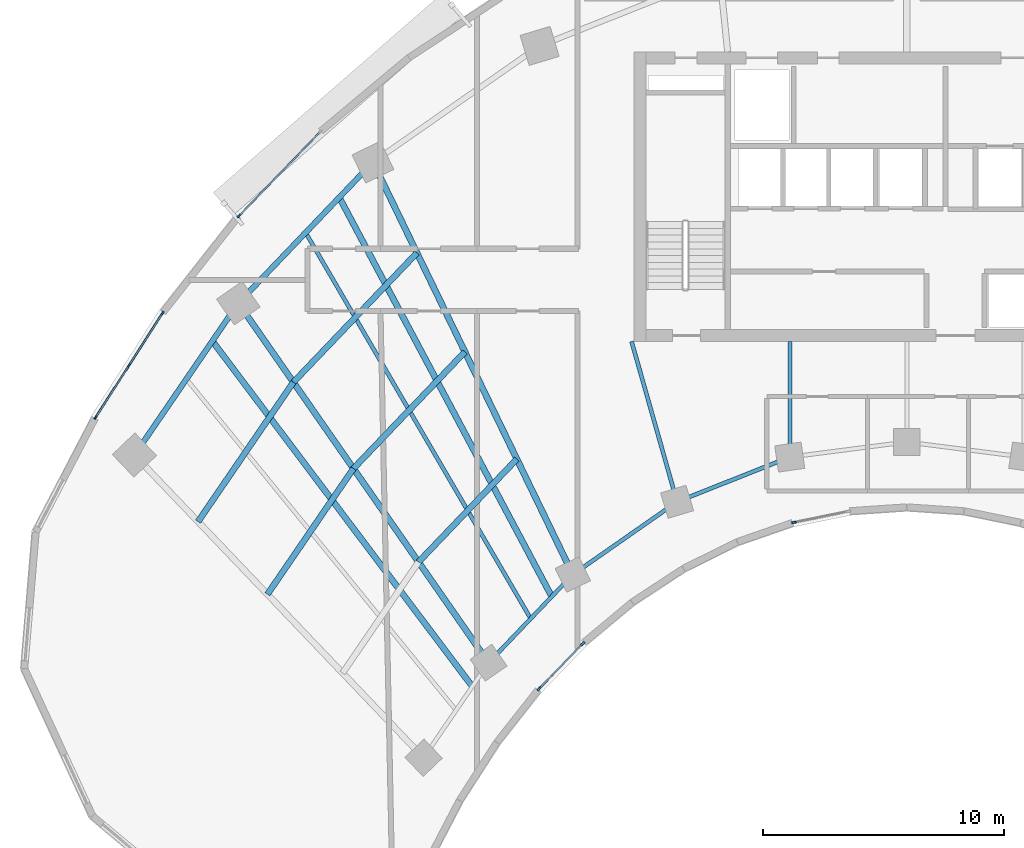
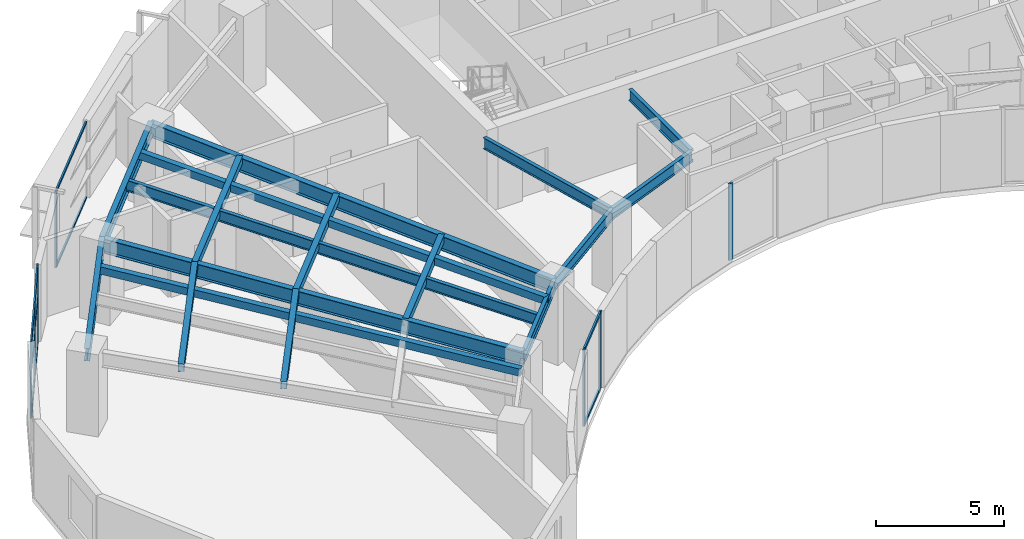
# One storey, part 2 of 14: 17 beams, 17 members, 4 elements without a shape of their own.
"""IFC4 building model written with IfcOpenShell, lengths in metres."""

from ifc_helpers import new_model, si_unit, direction, frame, origin, origin_2d, place, context, subcontext, project, spatial, rectangle, hollow_rectangle, i_section, extrude, source, transform, mapped, material, layer, layer_set, material_profile, profile_set, type_object, type_shapes, element, aggregate, save


model = new_model("IFC4")

# Units and contexts
model_context = context("Model", 3, precision=1e-05, world=origin(), true_north=direction((0.0, 1.0)))
body_context = subcontext(model_context, "Body", "Model", "MODEL_VIEW")
ifc_project = project(units=[si_unit("LENGTHUNIT", "METRE"), si_unit("AREAUNIT", "SQUARE_METRE"), si_unit("VOLUMEUNIT", "CUBIC_METRE"), si_unit("PLANEANGLEUNIT", "RADIAN"), si_unit("MASSUNIT", "GRAM", prefix="KILO")], contexts=[model_context])

# Site, building, storey
site_placement = place(None, origin())
site = spatial("IfcSite", under=ifc_project, at=site_placement, CompositionType="ELEMENT")
building_placement = place(site_placement, origin())
building = spatial("IfcBuilding", under=site, at=building_placement, Name="Breltana Convention Tower", CompositionType="ELEMENT")
storey_placement = place(building_placement, frame((0.0, 0.0, 131.10009765625)))
storey = spatial("IfcBuildingStorey", under=building, at=storey_placement, Name="L31", CompositionType="ELEMENT", Elevation=131.10009765625)

# Beams
ifc_material_1 = material(Name="Steel ASTM A992 Grade 50", Category="steel")
ifc_material_profile_1 = material_profile(ifc_material_1, i_section(OverallWidth=0.25390625, OverallDepth=0.68798828125, WebThickness=0.01318359375, FlangeThickness=0.02099609375, at=origin_2d()), Name="W27X102")
ifc_profile_set_1 = profile_set([ifc_material_profile_1], Name="Steel ASTM A992 Grade 50")
beam_type_1 = type_object("IfcBeamType", Name="BM-RG-W27X102", PredefinedType="USERDEFINED", material=ifc_profile_set_1)
shared_shape_1 = source(origin(), body_context, "Body", "SweptSolid", [
    extrude(i_section(OverallWidth=0.25390625, OverallDepth=0.68798828125, WebThickness=0.01318359375, FlangeThickness=0.02099609375, at=origin_2d()), origin(), (0.0, 0.0, 1.0), 18.1484375),
])
beam_1_placement = place(storey_placement, frame((30.67724609375, 46.892333984375, 3.305908203125), z_axis=(-0.571207556098, 0.820805657788, 0.0), x_axis=(-0.820805657788, -0.571207556098, 0.0)))
element("IfcBeam", 1, at=beam_1_placement, inside=storey, type_object=beam_type_1, Name="L31 Radial Floor Girder R02", ObjectType="GIRDER", PredefinedType="USERDEFINED", context=body_context, shape_type="MappedRepresentation", body=[
    mapped(shared_shape_1, transform((0.0, 0.0, 0.0), scale=1.0)),
])
shared_shape_2 = source(origin(), body_context, "Body", "SweptSolid", [
    extrude(i_section(OverallWidth=0.25390625, OverallDepth=0.68798828125, WebThickness=0.01318359375, FlangeThickness=0.02099609375, at=origin_2d()), origin(), (0.0, 0.0, 1.0), 18.982421875),
])
beam_2_placement = place(storey_placement, frame((34.166259765625, 50.544921875, 3.305908203125), z_axis=(-0.436118560343, 0.89988921614, 0.0), x_axis=(-0.89988921614, -0.436118560343, 0.0)))
element("IfcBeam", 2, at=beam_2_placement, inside=storey, type_object=beam_type_1, Name="L31 Radial Floor Girder R03", ObjectType="GIRDER", PredefinedType="USERDEFINED", context=body_context, shape_type="MappedRepresentation", body=[
    mapped(shared_shape_2, transform((0.0, 0.0, 0.0), scale=1.0)),
])
ifc_material_profile_2 = material_profile(ifc_material_1, i_section(OverallWidth=0.166015625, OverallDepth=0.534912109375, WebThickness=0.01025390625, FlangeThickness=0.0166015625, at=origin_2d()), Name="W21X57")
ifc_profile_set_2 = profile_set([ifc_material_profile_2], Name="Steel ASTM A992 Grade 50")
beam_type_2 = type_object("IfcBeamType", Name="BM-BM-W21X57", PredefinedType="BEAM", material=ifc_profile_set_2)
shared_shape_3 = source(origin(), body_context, "Body", "SweptSolid", [
    extrude(i_section(OverallWidth=0.166015625, OverallDepth=0.534912109375, WebThickness=0.01025390625, FlangeThickness=0.0166015625, at=origin_2d()), origin(), (0.0, 0.0, 1.0), 6.904541015625),
])
type_shapes(beam_type_2, [shared_shape_3])
beam_3_placement = place(storey_placement, frame((36.60009765625, 60.199951171875, 3.38232421875), z_axis=(0.273006781054, -0.962012108811, 0.0), x_axis=(0.962012108811, 0.273006781054, 0.0)))
element("IfcBeam", 3, at=beam_3_placement, inside=storey, type_object=beam_type_2, Name="L31 South Core Tie Girder R04", PredefinedType="BEAM", context=body_context, shape_type="MappedRepresentation", body=[
    mapped(shared_shape_3, transform((0.0, 0.0, 0.0), scale=1.0)),
])
shared_shape_4 = source(origin(), body_context, "Body", "SweptSolid", [
    extrude(i_section(OverallWidth=0.166015625, OverallDepth=0.534912109375, WebThickness=0.01025390625, FlangeThickness=0.0166015625, at=origin_2d()), origin(), (0.0, 0.0, 1.0), 4.789306640625),
])
beam_4_placement = place(storey_placement, frame((43.153564453125, 60.199951171875, 3.38232421875), z_axis=(0.0, -1.0, 0.0), x_axis=(1.0, 0.0, 0.0)))
element("IfcBeam", 4, at=beam_4_placement, inside=storey, type_object=beam_type_2, Name="L31 South Core Tie Girder R05", PredefinedType="BEAM", context=body_context, shape_type="MappedRepresentation", body=[
    mapped(shared_shape_4, transform((0.0, 0.0, 0.0), scale=1.0)),
])
ifc_material_profile_3 = material_profile(ifc_material_1, i_section(OverallWidth=0.22802734375, OverallDepth=0.60791015625, WebThickness=0.01123046875, FlangeThickness=0.017333984375, at=origin_2d()), Name="W24X76")
ifc_profile_set_3 = profile_set([ifc_material_profile_3], Name="Steel ASTM A992 Grade 50")
beam_type_3 = type_object("IfcBeamType", Name="BM-SP-W24X76", PredefinedType="SPANDREL", material=ifc_profile_set_3)
shared_shape_5 = source(origin(), body_context, "Body", "SweptSolid", [
    extrude(i_section(OverallWidth=0.22802734375, OverallDepth=0.60791015625, WebThickness=0.01123046875, FlangeThickness=0.017333984375, at=origin_2d()), origin(), (0.0, 0.0, 1.0), 7.625),
])
type_shapes(beam_type_3, [shared_shape_5])
beam_5_placement = place(storey_placement, frame((16.0068359375, 55.494384765625, 3.345947265625), z_axis=(0.564452031902, 0.825465870694, 0.0), x_axis=(-0.825465870694, 0.564452031902, 0.0)))
element("IfcBeam", 5, at=beam_5_placement, inside=storey, type_object=beam_type_3, Name="L31 Outer Spandrel Beam 01", PredefinedType="SPANDREL", context=body_context, shape_type="MappedRepresentation", body=[
    mapped(shared_shape_5, transform((0.0, 0.0, 0.0), scale=1.0)),
])
shared_shape_6 = source(origin(), body_context, "Body", "SweptSolid", [
    extrude(i_section(OverallWidth=0.166015625, OverallDepth=0.534912109375, WebThickness=0.01025390625, FlangeThickness=0.0166015625, at=origin_2d()), origin(), (0.0, 0.0, 1.0), 5.05126953125),
])
beam_6_placement = place(storey_placement, frame((30.67724609375, 46.892333984375, 3.38232421875), z_axis=(0.690729753845, 0.7231129975, 0.0), x_axis=(-0.7231129975, 0.690729753845, 0.0)))
element("IfcBeam", 6, at=beam_6_placement, inside=storey, type_object=beam_type_2, Name="L31 Inner Ring Beam 02", PredefinedType="BEAM", context=body_context, shape_type="MappedRepresentation", body=[
    mapped(shared_shape_6, transform((0.0, 0.0, 0.0), scale=1.0)),
])
shared_shape_7 = source(origin(), body_context, "Body", "SweptSolid", [
    extrude(i_section(OverallWidth=0.22802734375, OverallDepth=0.60791015625, WebThickness=0.01123046875, FlangeThickness=0.017333984375, at=origin_2d()), origin(), (0.0, 0.0, 1.0), 8.073974609375),
])
beam_7_placement = place(storey_placement, frame((20.310791015625, 61.78857421875, 3.345947265625), z_axis=(0.69072885448, 0.723113856588, 0.0), x_axis=(-0.723113856588, 0.69072885448, 0.0)))
element("IfcBeam", 7, at=beam_7_placement, inside=storey, type_object=beam_type_3, Name="L31 Outer Spandrel Beam 02", PredefinedType="SPANDREL", context=body_context, shape_type="MappedRepresentation", body=[
    mapped(shared_shape_7, transform((0.0, 0.0, 0.0), scale=1.0)),
])
shared_shape_8 = source(origin(), body_context, "Body", "SweptSolid", [
    extrude(i_section(OverallWidth=0.166015625, OverallDepth=0.534912109375, WebThickness=0.01025390625, FlangeThickness=0.0166015625, at=origin_2d()), origin(), (0.0, 0.0, 1.0), 5.265869140625),
])
beam_8_placement = place(storey_placement, frame((34.166259765625, 50.544921875, 3.38232421875), z_axis=(0.820167429517, 0.572123577176, 0.0), x_axis=(-0.572123577176, 0.820167429517, 0.0)))
element("IfcBeam", 8, at=beam_8_placement, inside=storey, type_object=beam_type_2, Name="L31 Inner Ring Beam 03", PredefinedType="BEAM", context=body_context, shape_type="MappedRepresentation", body=[
    mapped(shared_shape_8, transform((0.0, 0.0, 0.0), scale=1.0)),
])
shared_shape_9 = source(origin(), body_context, "Body", "SweptSolid", [
    extrude(i_section(OverallWidth=0.166015625, OverallDepth=0.534912109375, WebThickness=0.01025390625, FlangeThickness=0.0166015625, at=origin_2d()), origin(), (0.0, 0.0, 1.0), 5.022705078125),
])
beam_9_placement = place(storey_placement, frame((38.485107421875, 53.5576171875, 3.38232421875), z_axis=(0.929458966248, 0.368925507469, 0.0), x_axis=(-0.368925507469, 0.929458966248, 0.0)))
element("IfcBeam", 9, at=beam_9_placement, inside=storey, type_object=beam_type_2, Name="L31 Inner Ring Beam 04", PredefinedType="BEAM", context=body_context, shape_type="MappedRepresentation", body=[
    mapped(shared_shape_9, transform((0.0, 0.0, 0.0), scale=1.0)),
])
ifc_material_profile_4 = material_profile(ifc_material_1, hollow_rectangle(XDim=0.25, YDim=0.35009765625, WallThickness=0.011962890625, at=origin_2d()), Name="RHS350X250X12")
ifc_profile_set_4 = profile_set([ifc_material_profile_4], Name="Steel ASTM A992 Grade 50")
beam_type_4 = type_object("IfcBeamType", Name="BM-JSG-12", PredefinedType="JOIST", material=ifc_profile_set_4)
shared_shape_10 = source(origin(), body_context, "Body", "SweptSolid", [
    extrude(hollow_rectangle(XDim=0.25, YDim=0.35009765625, WallThickness=0.011962890625, at=origin_2d()), origin(), (0.0, 0.0, 1.0), 6.311767578125),
])
beam_10_placement = place(storey_placement, frame((21.5166015625, 49.72607421875, 3.474853515625), z_axis=(0.564453712577, 0.825464721449, 0.0), x_axis=(-0.825464721449, 0.564453712577, 0.0)))
element("IfcBeam", 10, at=beam_10_placement, inside=storey, type_object=beam_type_4, Name="L31 Composite Floor Joist 01.2", PredefinedType="JOIST", context=body_context, shape_type="MappedRepresentation", body=[
    mapped(shared_shape_10, transform((0.0, 0.0, 0.0), scale=1.0)),
])
shared_shape_11 = source(origin(), body_context, "Body", "SweptSolid", [
    extrude(hollow_rectangle(XDim=0.25, YDim=0.35009765625, WallThickness=0.011962890625, at=origin_2d()), origin(), (0.0, 0.0, 1.0), 6.997314453125),
])
beam_11_placement = place(storey_placement, frame((18.641845703125, 52.735595703125, 3.474853515625), z_axis=(0.564468756361, 0.825454434292, 0.0), x_axis=(-0.825454434292, 0.564468756361, 0.0)))
element("IfcBeam", 11, at=beam_11_placement, inside=storey, type_object=beam_type_4, Name="L31 Composite Floor Joist 01.3", PredefinedType="JOIST", context=body_context, shape_type="MappedRepresentation", body=[
    mapped(shared_shape_11, transform((0.0, 0.0, 0.0), scale=1.0)),
])
shared_shape_12 = source(origin(), body_context, "Body", "SweptSolid", [
    extrude(hollow_rectangle(XDim=0.25, YDim=0.35009765625, WallThickness=0.011962890625, at=origin_2d()), origin(), (0.0, 0.0, 1.0), 17.9072265625),
])
beam_12_placement = place(storey_placement, frame((30.00390625, 45.907958984375, 3.474853515625), z_axis=(-0.601382105028, 0.798961553363, 0.0), x_axis=(-0.798961553363, -0.601382105028, 0.0)))
element("IfcBeam", 12, at=beam_12_placement, inside=storey, type_object=beam_type_4, Name="L31 Quarter-Bay Radial Trimmer 01", PredefinedType="JOIST", context=body_context, shape_type="MappedRepresentation", body=[
    mapped(shared_shape_12, transform((0.0, 0.0, 0.0), scale=1.0)),
])
shared_shape_13 = source(origin(), body_context, "Body", "SweptSolid", [
    extrude(hollow_rectangle(XDim=0.25, YDim=0.35009765625, WallThickness=0.011962890625, at=origin_2d()), origin(), (0.0, 0.0, 1.0), 5.8974609375),
])
beam_13_placement = place(storey_placement, frame((27.774658203125, 51.063232421875, 3.474853515625), z_axis=(0.690713978666, 0.723128065888, 0.0), x_axis=(-0.723128065888, 0.690713978666, 0.0)))
element("IfcBeam", 13, at=beam_13_placement, inside=storey, type_object=beam_type_4, Name="L31 Composite Floor Joist 02.1", PredefinedType="JOIST", context=body_context, shape_type="MappedRepresentation", body=[
    mapped(shared_shape_13, transform((0.0, 0.0, 0.0), scale=1.0)),
])
shared_shape_14 = source(origin(), body_context, "Body", "SweptSolid", [
    extrude(hollow_rectangle(XDim=0.25, YDim=0.35009765625, WallThickness=0.011962890625, at=origin_2d()), origin(), (0.0, 0.0, 1.0), 6.68359375),
])
beam_14_placement = place(storey_placement, frame((25.079345703125, 54.936279296875, 3.474853515625), z_axis=(0.690720705885, 0.723121640156, 0.0), x_axis=(-0.723121640156, 0.690720705885, 0.0)))
element("IfcBeam", 14, at=beam_14_placement, inside=storey, type_object=beam_type_4, Name="L31 Composite Floor Joist 02.2", PredefinedType="JOIST", context=body_context, shape_type="MappedRepresentation", body=[
    mapped(shared_shape_14, transform((0.0, 0.0, 0.0), scale=1.0)),
])
shared_shape_15 = source(origin(), body_context, "Body", "SweptSolid", [
    extrude(hollow_rectangle(XDim=0.25, YDim=0.35009765625, WallThickness=0.011962890625, at=origin_2d()), origin(), (0.0, 0.0, 1.0), 7.40869140625),
])
beam_15_placement = place(storey_placement, frame((22.591552734375, 58.511474609375, 3.474853515625), z_axis=(0.690724936208, 0.723117599358, 0.0), x_axis=(-0.723117599358, 0.690724936208, 0.0)))
element("IfcBeam", 15, at=beam_15_placement, inside=storey, type_object=beam_type_4, Name="L31 Composite Floor Joist 02.3", PredefinedType="JOIST", context=body_context, shape_type="MappedRepresentation", body=[
    mapped(shared_shape_15, transform((0.0, 0.0, 0.0), scale=1.0)),
])
ifc_material_profile_5 = material_profile(ifc_material_1, i_section(OverallWidth=0.166015625, OverallDepth=0.534912109375, WebThickness=0.01025390625, FlangeThickness=0.0166015625, at=origin_2d()), Name="W21X57")
ifc_profile_set_5 = profile_set([ifc_material_profile_5], Name="Steel ASTM A992 Grade 50")
beam_type_5 = type_object("IfcBeamType", Name="BM-JSG-05", PredefinedType="JOIST", material=ifc_profile_set_5)
shared_shape_16 = source(origin(), body_context, "Body", "SweptSolid", [
    extrude(i_section(OverallWidth=0.166015625, OverallDepth=0.534912109375, WebThickness=0.01025390625, FlangeThickness=0.0166015625, at=origin_2d()), origin(), (0.0, 0.0, 1.0), 18.50830078125),
])
beam_16_placement = place(storey_placement, frame((32.421630859375, 48.71875, 3.38232421875), z_axis=(-0.50368319637, 0.863888440537, 0.0), x_axis=(-0.863888440537, -0.50368319637, 0.0)))
element("IfcBeam", 16, at=beam_16_placement, inside=storey, type_object=beam_type_5, Name="L31 Mid-Bay Radial Trimmer 02", PredefinedType="JOIST", context=body_context, shape_type="MappedRepresentation", body=[
    mapped(shared_shape_16, transform((0.0, 0.0, 0.0), scale=1.0)),
])
shared_shape_17 = source(origin(), body_context, "Body", "SweptSolid", [
    extrude(hollow_rectangle(XDim=0.25, YDim=0.35009765625, WallThickness=0.011962890625, at=origin_2d()), origin(), (0.0, 0.0, 1.0), 18.731689453125),
])
beam_17_placement = place(storey_placement, frame((33.2939453125, 49.6318359375, 3.474853515625), z_axis=(-0.469820250451, 0.882762104004, 0.0), x_axis=(-0.882762104004, -0.469820250451, 0.0)))
element("IfcBeam", 17, at=beam_17_placement, inside=storey, type_object=beam_type_4, Name="L31 Quarter-Bay Radial Trimmer 02", PredefinedType="JOIST", context=body_context, shape_type="MappedRepresentation", body=[
    mapped(shared_shape_17, transform((0.0, 0.0, 0.0), scale=1.0)),
])

# Curtain wall, members
ifc_material_2 = material(Name="Aluminium Anodised Bronze Frame", Category="aluminium")
ifc_layer_1 = layer(ifc_material_2, 0.18994140625, Name="Aluminium Anodised Bronze Frame")
ifc_layer_set_1 = layer_set([ifc_layer_1], Name="Aluminium Anodised Bronze Frame")
curtain_wall_type_1 = type_object("IfcCurtainWallType", Name="CW-SYS-1", PredefinedType="NOTDEFINED", material=ifc_layer_set_1)
curtain_wall_1_placement = place(storey_placement, origin())
curtain_wall_1 = element("IfcCurtainWall", 18, at=curtain_wall_1_placement, inside=storey, type_object=curtain_wall_type_1, Name="L31 inner south-court glazing 5", PredefinedType="NOTDEFINED")
ifc_material_3 = material(Name="Aluminium Anodised Bronze", Category="aluminium")
ifc_material_profile_6 = material_profile(ifc_material_3, rectangle(XDim=0.080078125, YDim=0.139892578125, at=origin_2d()), Name="CWT-80X140")
ifc_profile_set_6 = profile_set([ifc_material_profile_6], Name="Aluminium Anodised Bronze")
member_type_1 = type_object("IfcMemberType", Name="CWT-140", PredefinedType="USERDEFINED", material=ifc_profile_set_6)
shared_shape_18 = source(origin(), body_context, "Body", "SweptSolid", [
    extrude(rectangle(XDim=0.080078125, YDim=0.139892578125, at=origin_2d()), origin(), (0.0, 0.0, 1.0), 2.519775390625),
])
member_1_placement = place(storey_placement, frame((34.5458984375, 47.650390625, 0.039794921875), z_axis=(-0.694596242791, -0.719399791146, 0.0), x_axis=(0.719399791146, -0.694596242791, 0.0)))
member_1 = element("IfcMember", 19, at=member_1_placement, type_object=member_type_1, Name="CW-01 transom 1.1", ObjectType="TRANSOM", PredefinedType="USERDEFINED", context=body_context, shape_type="MappedRepresentation", body=[
    mapped(shared_shape_18, transform((0.0, 0.0, 0.0), scale=1.0)),
])
member_2_placement = place(storey_placement, frame((34.5458984375, 47.650390625, 3.60986328125), z_axis=(-0.694596242791, -0.719399791146, 0.0), x_axis=(0.719399791146, -0.694596242791, 0.0)))
member_2 = element("IfcMember", 20, at=member_2_placement, type_object=member_type_1, Name="CW-01 transom 1.2", ObjectType="TRANSOM", PredefinedType="USERDEFINED", context=body_context, shape_type="MappedRepresentation", body=[
    mapped(shared_shape_18, transform((0.0, 0.0, 0.0), scale=1.0)),
])

# Curtain wall, member
curtain_wall_2_placement = place(storey_placement, origin())
curtain_wall_2 = element("IfcCurtainWall", 21, at=curtain_wall_2_placement, inside=storey, type_object=curtain_wall_type_1, Name="L31 inner south-court glazing 4", PredefinedType="NOTDEFINED")
ifc_material_profile_7 = material_profile(ifc_material_3, rectangle(XDim=0.080078125, YDim=0.199951171875, at=origin_2d()), Name="CWM-80X200")
ifc_profile_set_7 = profile_set([ifc_material_profile_7], Name="Aluminium Anodised Bronze")
member_type_2 = type_object("IfcMemberType", Name="CWM-200", PredefinedType="MULLION", material=ifc_profile_set_7)
shared_shape_19 = source(origin(), body_context, "Body", "SweptSolid", [
    extrude(rectangle(XDim=0.080078125, YDim=0.199951171875, at=origin_2d()), origin(), (0.0, 0.0, 1.0), 3.64990234375),
])
member_3_placement = place(storey_placement, frame((43.327880859375, 52.703125, 0.0), z_axis=(0.0, 0.0, 1.0), x_axis=(0.200852929183, -0.979621406891, 0.0)))
member_3 = element("IfcMember", 22, at=member_3_placement, type_object=member_type_2, Name="CW-01 mullion 2", PredefinedType="MULLION", context=body_context, shape_type="MappedRepresentation", body=[
    mapped(shared_shape_19, transform((0.0, 0.0, 0.0), scale=1.0)),
])
aggregate(curtain_wall_2, [member_3])

# Member
member_4_placement = place(storey_placement, frame((34.57373046875, 47.67919921875, 0.0), z_axis=(0.0, 0.0, 1.0), x_axis=(0.719387314642, -0.694609164589, 0.0)))
member_4 = element("IfcMember", 23, at=member_4_placement, type_object=member_type_2, Name="CW-01 mullion 1", PredefinedType="MULLION", context=body_context, shape_type="MappedRepresentation", body=[
    mapped(shared_shape_19, transform((0.0, 0.0, 0.0), scale=1.0)),
])

member_5_placement = place(storey_placement, frame((32.767822265625, 45.808837890625, 0.0), z_axis=(0.0, 0.0, 1.0), x_axis=(0.719387314642, -0.694609164589, 0.0)))
member_5 = element("IfcMember", 24, at=member_5_placement, type_object=member_type_2, Name="CW-01 mullion 2", PredefinedType="MULLION", context=body_context, shape_type="MappedRepresentation", body=[
    mapped(shared_shape_19, transform((0.0, 0.0, 0.0), scale=1.0)),
])

aggregate(curtain_wall_1, [member_4, member_5, member_1, member_2])

# Curtain wall, members
ifc_layer_2 = layer(ifc_material_2, 0.22998046875, Name="Aluminium Anodised Bronze Frame")
ifc_layer_set_2 = layer_set([ifc_layer_2], Name="Aluminium Anodised Bronze Frame")
curtain_wall_type_2 = type_object("IfcCurtainWallType", Name="CW-SYS-5", PredefinedType="NOTDEFINED", material=ifc_layer_set_2)
curtain_wall_3_placement = place(storey_placement, origin())
curtain_wall_3 = element("IfcCurtainWall", 25, at=curtain_wall_3_placement, inside=storey, type_object=curtain_wall_type_2, Name="L31 outer double-skin inner glazing 1", PredefinedType="NOTDEFINED")
ifc_material_profile_8 = material_profile(ifc_material_3, rectangle(XDim=0.070068359375, YDim=0.175048828125, at=origin_2d()), Name="CWM-70X175")
ifc_profile_set_8 = profile_set([ifc_material_profile_8], Name="Aluminium Anodised Bronze")
member_type_3 = type_object("IfcMemberType", Name="CWM-175", PredefinedType="MULLION", material=ifc_profile_set_8)
shared_shape_20 = source(origin(), body_context, "Body", "SweptSolid", [
    extrude(rectangle(XDim=0.070068359375, YDim=0.175048828125, at=origin_2d()), origin(), (0.0, 0.0, 1.0), 3.64990234375),
])
member_6_placement = place(storey_placement, frame((14.395751953125, 57.049560546875, 0.0), z_axis=(0.0, 0.0, 1.0), x_axis=(-0.84155155167, 0.540176809834, 0.0)))
member_6 = element("IfcMember", 26, at=member_6_placement, type_object=member_type_3, Name="CW-05 mullion 1", PredefinedType="MULLION", context=body_context, shape_type="MappedRepresentation", body=[
    mapped(shared_shape_20, transform((0.0, 0.0, 0.0), scale=1.0)),
])
member_7_placement = place(storey_placement, frame((15.78271484375, 59.210205078125, 0.0), z_axis=(0.0, 0.0, 1.0), x_axis=(-0.84155155167, 0.540176809834, 0.0)))
member_7 = element("IfcMember", 27, at=member_7_placement, type_object=member_type_3, Name="CW-05 mullion 2", PredefinedType="MULLION", context=body_context, shape_type="MappedRepresentation", body=[
    mapped(shared_shape_20, transform((0.0, 0.0, 0.0), scale=1.0)),
])
member_8_placement = place(storey_placement, frame((17.169677734375, 61.370849609375, 0.0), z_axis=(0.0, 0.0, 1.0), x_axis=(-0.84155155167, 0.540176809834, 0.0)))
member_8 = element("IfcMember", 28, at=member_8_placement, type_object=member_type_3, Name="CW-05 mullion 3", PredefinedType="MULLION", context=body_context, shape_type="MappedRepresentation", body=[
    mapped(shared_shape_20, transform((0.0, 0.0, 0.0), scale=1.0)),
])

# Curtain wall, member
curtain_wall_4_placement = place(storey_placement, origin())
curtain_wall_4 = element("IfcCurtainWall", 29, at=curtain_wall_4_placement, inside=storey, type_object=curtain_wall_type_2, Name="L31 outer double-skin inner glazing 2", PredefinedType="NOTDEFINED")
member_9_placement = place(storey_placement, frame((20.339599609375, 65.401611328125, 0.0), z_axis=(0.0, 0.0, 1.0), x_axis=(-0.719384961558, 0.694611601605, 0.0)))
member_9 = element("IfcMember", 30, at=member_9_placement, type_object=member_type_3, Name="CW-05 mullion 1", PredefinedType="MULLION", context=body_context, shape_type="MappedRepresentation", body=[
    mapped(shared_shape_20, transform((0.0, 0.0, 0.0), scale=1.0)),
])

# Member
ifc_material_profile_9 = material_profile(ifc_material_3, rectangle(XDim=0.070068359375, YDim=0.1201171875, at=origin_2d()), Name="CWT-70X120")
ifc_profile_set_9 = profile_set([ifc_material_profile_9], Name="Aluminium Anodised Bronze")
member_type_4 = type_object("IfcMemberType", Name="CWT-120", PredefinedType="USERDEFINED", material=ifc_profile_set_9)
shared_shape_21 = source(origin(), body_context, "Body", "SweptSolid", [
    extrude(rectangle(XDim=0.070068359375, YDim=0.1201171875, at=origin_2d()), origin(), (0.0, 0.0, 1.0), 2.49755859375),
])
member_10_placement = place(storey_placement, frame((14.41455078125, 57.078857421875, 0.034912109375), z_axis=(0.540179419124, 0.841549876808, 0.0), x_axis=(-0.841549876808, 0.540179419124, 0.0)))
member_10 = element("IfcMember", 31, at=member_10_placement, type_object=member_type_4, Name="CW-05 transom 1.1", ObjectType="TRANSOM", PredefinedType="USERDEFINED", context=body_context, shape_type="MappedRepresentation", body=[
    mapped(shared_shape_21, transform((0.0, 0.0, 0.0), scale=1.0)),
])

member_11_placement = place(storey_placement, frame((14.41455078125, 57.078857421875, 2.372314453125), z_axis=(0.540179419124, 0.841549876808, 0.0), x_axis=(-0.841549876808, 0.540179419124, 0.0)))
member_11 = element("IfcMember", 32, at=member_11_placement, type_object=member_type_4, Name="CW-05 transom 1.2", ObjectType="TRANSOM", PredefinedType="USERDEFINED", context=body_context, shape_type="MappedRepresentation", body=[
    mapped(shared_shape_21, transform((0.0, 0.0, 0.0), scale=1.0)),
])

member_12_placement = place(storey_placement, frame((14.41455078125, 57.078857421875, 3.614990234375), z_axis=(0.540179419124, 0.841549876808, 0.0), x_axis=(-0.841549876808, 0.540179419124, 0.0)))
member_12 = element("IfcMember", 33, at=member_12_placement, type_object=member_type_4, Name="CW-05 transom 1.3", ObjectType="TRANSOM", PredefinedType="USERDEFINED", context=body_context, shape_type="MappedRepresentation", body=[
    mapped(shared_shape_21, transform((0.0, 0.0, 0.0), scale=1.0)),
])

member_13_placement = place(storey_placement, frame((15.801513671875, 59.23974609375, 0.034912109375), z_axis=(0.540179419124, 0.841549876808, 0.0), x_axis=(-0.841549876808, 0.540179419124, 0.0)))
member_13 = element("IfcMember", 34, at=member_13_placement, type_object=member_type_4, Name="CW-05 transom 2.1", ObjectType="TRANSOM", PredefinedType="USERDEFINED", context=body_context, shape_type="MappedRepresentation", body=[
    mapped(shared_shape_21, transform((0.0, 0.0, 0.0), scale=1.0)),
])

member_14_placement = place(storey_placement, frame((15.801513671875, 59.23974609375, 2.372314453125), z_axis=(0.540179419124, 0.841549876808, 0.0), x_axis=(-0.841549876808, 0.540179419124, 0.0)))
member_14 = element("IfcMember", 35, at=member_14_placement, type_object=member_type_4, Name="CW-05 transom 2.2", ObjectType="TRANSOM", PredefinedType="USERDEFINED", context=body_context, shape_type="MappedRepresentation", body=[
    mapped(shared_shape_21, transform((0.0, 0.0, 0.0), scale=1.0)),
])

member_15_placement = place(storey_placement, frame((15.801513671875, 59.23974609375, 3.614990234375), z_axis=(0.540179419124, 0.841549876808, 0.0), x_axis=(-0.841549876808, 0.540179419124, 0.0)))
member_15 = element("IfcMember", 36, at=member_15_placement, type_object=member_type_4, Name="CW-05 transom 2.3", ObjectType="TRANSOM", PredefinedType="USERDEFINED", context=body_context, shape_type="MappedRepresentation", body=[
    mapped(shared_shape_21, transform((0.0, 0.0, 0.0), scale=1.0)),
])

aggregate(curtain_wall_3, [member_6, member_7, member_8, member_10, member_11, member_12, member_13, member_14, member_15])

shared_shape_22 = source(origin(), body_context, "Body", "SweptSolid", [
    extrude(rectangle(XDim=0.070068359375, YDim=0.1201171875, at=origin_2d()), origin(), (0.0, 0.0, 1.0), 4.7685546875),
])
member_16_placement = place(storey_placement, frame((20.36376953125, 65.4267578125, 0.034912109375), z_axis=(0.694608218982, 0.719388227679, 0.0), x_axis=(-0.719388227679, 0.694608218982, 0.0)))
member_16 = element("IfcMember", 37, at=member_16_placement, type_object=member_type_4, Name="CW-05 transom 1.1", ObjectType="TRANSOM", PredefinedType="USERDEFINED", context=body_context, shape_type="MappedRepresentation", body=[
    mapped(shared_shape_22, transform((0.0, 0.0, 0.0), scale=1.0)),
])

member_17_placement = place(storey_placement, frame((20.36376953125, 65.4267578125, 3.614990234375), z_axis=(0.694608218982, 0.719388227679, 0.0), x_axis=(-0.719388227679, 0.694608218982, 0.0)))
member_17 = element("IfcMember", 38, at=member_17_placement, type_object=member_type_4, Name="CW-05 transom 1.2", ObjectType="TRANSOM", PredefinedType="USERDEFINED", context=body_context, shape_type="MappedRepresentation", body=[
    mapped(shared_shape_22, transform((0.0, 0.0, 0.0), scale=1.0)),
])

aggregate(curtain_wall_4, [member_9, member_16, member_17])

save(model, "model.ifc")
